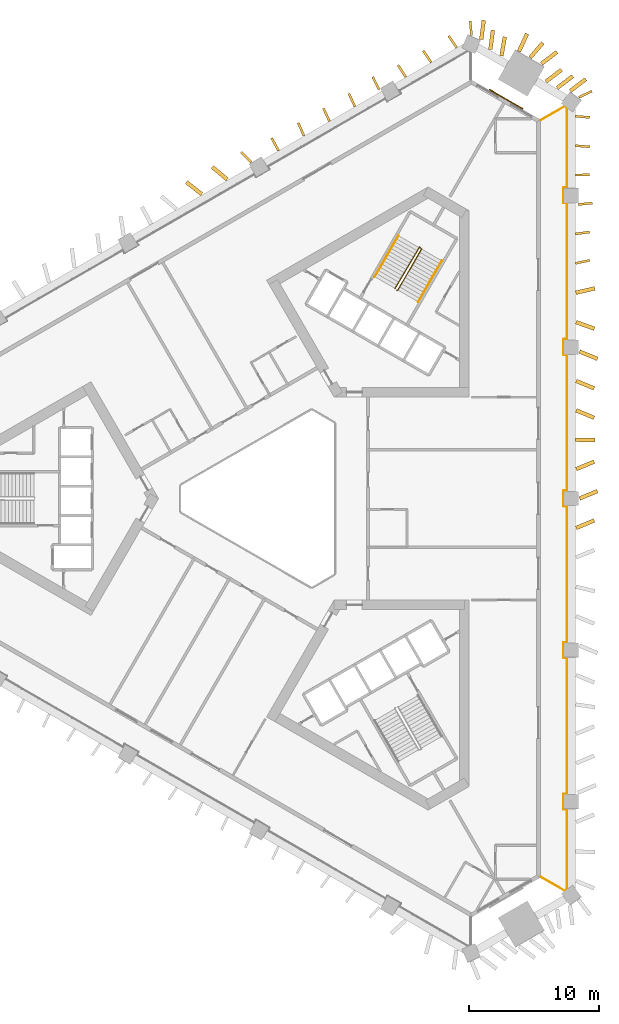
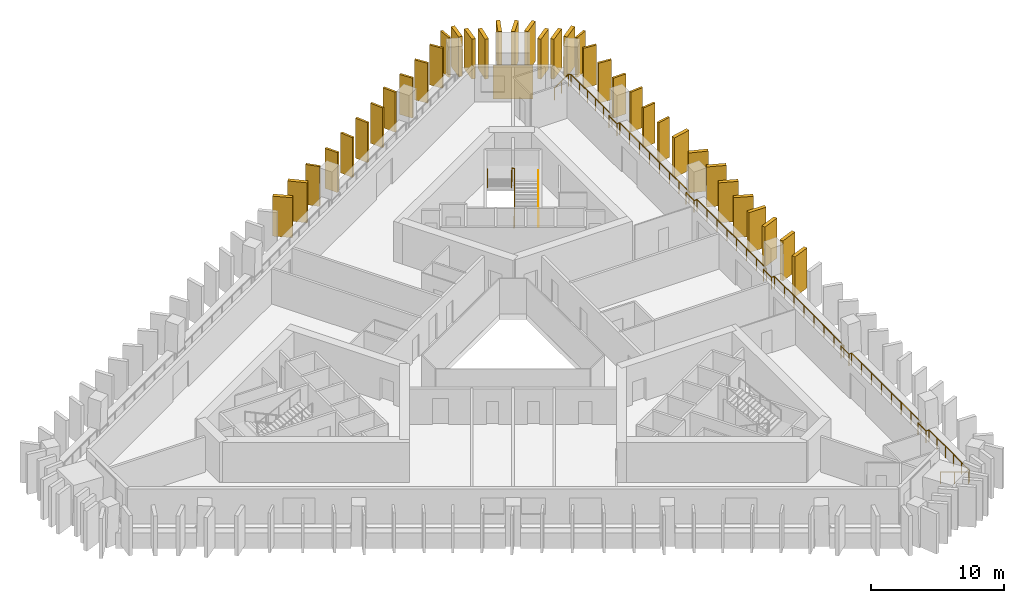
# One storey, part 9 of 9: 37 shading devices, 4 railings, 1 covering.
"""IFC4 building model written with IfcOpenShell, lengths in metres."""

from ifc_helpers import new_model, si_unit, direction, frame, frame_2d, origin, origin_2d, place, context, subcontext, project, spatial, rectangle, circle, extrude, material, layer, layer_set, type_object, element, save


model = new_model("IFC4")

# Units and contexts
model_context = context("Model", 3, precision=1e-05, world=origin(), true_north=direction((0.0, 1.0)))
body_context = subcontext(model_context, "Body", "Model", "MODEL_VIEW")
ifc_project = project(units=[si_unit("LENGTHUNIT", "METRE"), si_unit("AREAUNIT", "SQUARE_METRE"), si_unit("VOLUMEUNIT", "CUBIC_METRE"), si_unit("PLANEANGLEUNIT", "RADIAN"), si_unit("MASSUNIT", "GRAM", prefix="KILO")], contexts=[model_context])

# Site, building, storey
site_placement = place(None, origin())
site = spatial("IfcSite", under=ifc_project, at=site_placement, CompositionType="ELEMENT")
building_placement = place(site_placement, origin())
building = spatial("IfcBuilding", under=site, at=building_placement, Name="Jabali Bay Hotel Tower and Convention Centre", CompositionType="ELEMENT")
storey_placement = place(building_placement, frame((0.0, 0.0, 94.300048828125)))
storey = spatial("IfcBuildingStorey", under=building, at=storey_placement, Name="L22", CompositionType="ELEMENT", Elevation=94.300048828125)

# Railing
ifc_material_1 = material(Name="Glass", Category="glass")
railing_type_1 = type_object("IfcRailingType", Name="Loggia glass guard 1100", PredefinedType="BALUSTRADE", material=ifc_material_1)
railing_1_placement = place(storey_placement, frame((95.40185546875, 109.10400390625, 0.0)))
element("IfcRailing", 1, at=railing_1_placement, inside=storey, type_object=railing_type_1, Name="Loggia glass guard L22", PredefinedType="BALUSTRADE", context=body_context, shape_type="SweptSolid", body=[
    extrude(circle(Radius=0.02490234375, at=origin_2d()), frame((0.0, 0.0, 1.0751953125), z_axis=(0.866006443985, 0.500032837899, 0.0), x_axis=(-0.495754987653, 0.858597638805, 0.13052619222)), (0.0, 0.0, 1.0), 2.110595703125),
    extrude(circle(Radius=0.02490234375, at=origin_2d()), frame((1.827880859375, 1.055419921875, 1.0751953125), z_axis=(0.801498175172, -0.597997220057, 0.0), x_axis=(0.592881270942, 0.794641247175, 0.13052619222)), (0.0, 0.0, 1.0), 0.21484375),
    extrude(circle(Radius=0.02490234375, at=origin_2d()), frame((2.0, 0.927001953125, 1.0751953125), z_axis=(0.0, -1.0, 0.0), x_axis=(0.991444861374, 0.0, 0.13052619222)), (0.0, 0.0, 1.0), 6.122314453125),
    extrude(circle(Radius=0.02490234375, at=origin_2d()), frame((2.0, -5.1953125, 1.0751953125), z_axis=(-1.0, 0.0, 0.0), x_axis=(0.0, -0.991444861374, 0.13052619222)), (0.0, 0.0, 1.0), 0.25),
    extrude(circle(Radius=0.02490234375, at=origin_2d()), frame((1.75, -5.1953125, 1.0751953125), z_axis=(0.0, -1.0, 0.0), x_axis=(0.991444861374, 0.0, 0.13052619222)), (0.0, 0.0, 1.0), 1.199951171875),
    extrude(circle(Radius=0.02490234375, at=origin_2d()), frame((1.75, -6.395263671875, 1.0751953125), z_axis=(1.0, 0.0, 0.0), x_axis=(0.0, 0.991444861374, 0.13052619222)), (0.0, 0.0, 1.0), 0.25),
    extrude(circle(Radius=0.02490234375, at=origin_2d()), frame((2.0, -6.395263671875, 1.0751953125), z_axis=(0.0, -1.0, 0.0), x_axis=(0.991444861374, 0.0, 0.13052619222)), (0.0, 0.0, 1.0), 10.454345703125),
    extrude(circle(Radius=0.02490234375, at=origin_2d()), frame((2.0, -16.849609375, 1.0751953125), z_axis=(-1.0, 0.0, 0.0), x_axis=(0.0, -0.991444861374, 0.13052619222)), (0.0, 0.0, 1.0), 0.25),
    extrude(circle(Radius=0.02490234375, at=origin_2d()), frame((1.75, -16.849609375, 1.0751953125), z_axis=(0.0, -1.0, 0.0), x_axis=(0.991444861374, 0.0, 0.13052619222)), (0.0, 0.0, 1.0), 1.2001953125),
    extrude(circle(Radius=0.02490234375, at=origin_2d()), frame((1.75, -18.0498046875, 1.0751953125), z_axis=(1.0, 0.0, 0.0), x_axis=(0.0, 0.991444861374, 0.13052619222)), (0.0, 0.0, 1.0), 0.25),
    extrude(circle(Radius=0.02490234375, at=origin_2d()), frame((2.0, -18.0498046875, 1.0751953125), z_axis=(0.0, -1.0, 0.0), x_axis=(0.991444861374, 0.0, 0.13052619222)), (0.0, 0.0, 1.0), 10.4541015625),
    extrude(circle(Radius=0.02490234375, at=origin_2d()), frame((2.0, -28.50390625, 1.0751953125), z_axis=(-1.0, 0.0, 0.0), x_axis=(0.0, -0.991444861374, 0.13052619222)), (0.0, 0.0, 1.0), 0.25),
    extrude(circle(Radius=0.02490234375, at=origin_2d()), frame((1.75, -28.50390625, 1.0751953125), z_axis=(0.0, -1.0, 0.0), x_axis=(0.991444861374, 0.0, 0.13052619222)), (0.0, 0.0, 1.0), 1.2001953125),
    extrude(circle(Radius=0.02490234375, at=origin_2d()), frame((1.75, -29.7041015625, 1.0751953125), z_axis=(1.0, 0.0, 0.0), x_axis=(0.0, 0.991444861374, 0.13052619222)), (0.0, 0.0, 1.0), 0.25),
    extrude(circle(Radius=0.02490234375, at=origin_2d()), frame((2.0, -29.7041015625, 1.0751953125), z_axis=(0.0, -1.0, 0.0), x_axis=(0.991444861374, 0.0, 0.13052619222)), (0.0, 0.0, 1.0), 10.4541015625),
    extrude(circle(Radius=0.02490234375, at=origin_2d()), frame((2.0, -40.158203125, 1.0751953125), z_axis=(-1.0, 0.0, 0.0), x_axis=(0.0, -0.991444861374, 0.13052619222)), (0.0, 0.0, 1.0), 0.25),
    extrude(circle(Radius=0.02490234375, at=origin_2d()), frame((1.75, -40.158203125, 1.0751953125), z_axis=(0.0, -1.0, 0.0), x_axis=(0.991444861374, 0.0, 0.13052619222)), (0.0, 0.0, 1.0), 1.2001953125),
    extrude(circle(Radius=0.02490234375, at=origin_2d()), frame((1.75, -41.3583984375, 1.0751953125), z_axis=(1.0, 0.0, 0.0), x_axis=(0.0, 0.991444861374, 0.13052619222)), (0.0, 0.0, 1.0), 0.25),
    extrude(circle(Radius=0.02490234375, at=origin_2d()), frame((2.0, -41.3583984375, 1.0751953125), z_axis=(0.0, -1.0, 0.0), x_axis=(0.991444861374, 0.0, 0.13052619222)), (0.0, 0.0, 1.0), 10.454345703125),
    extrude(circle(Radius=0.02490234375, at=origin_2d()), frame((2.0, -51.812744140625, 1.0751953125), z_axis=(-1.0, 0.0, 0.0), x_axis=(0.0, -0.991444861374, 0.13052619222)), (0.0, 0.0, 1.0), 0.25),
    extrude(circle(Radius=0.02490234375, at=origin_2d()), frame((1.75, -51.812744140625, 1.0751953125), z_axis=(0.0, -1.0, 0.0), x_axis=(0.991444861374, 0.0, 0.13052619222)), (0.0, 0.0, 1.0), 1.199951171875),
    extrude(circle(Radius=0.02490234375, at=origin_2d()), frame((1.75, -53.0126953125, 1.0751953125), z_axis=(1.0, 0.0, 0.0), x_axis=(0.0, 0.991444861374, 0.13052619222)), (0.0, 0.0, 1.0), 0.25),
    extrude(circle(Radius=0.02490234375, at=origin_2d()), frame((2.0, -53.0126953125, 1.0751953125), z_axis=(0.0, -1.0, 0.0), x_axis=(0.991444861374, 0.0, 0.13052619222)), (0.0, 0.0, 1.0), 6.122314453125),
    extrude(circle(Radius=0.02490234375, at=origin_2d()), frame((2.0, -59.135009765625, 1.0751953125), z_axis=(-0.801498175172, -0.597997220057, 0.0), x_axis=(0.592881270942, -0.794641247175, 0.13052619222)), (0.0, 0.0, 1.0), 0.21484375),
    extrude(circle(Radius=0.02490234375, at=origin_2d()), frame((1.827880859375, -59.263427734375, 1.0751953125), z_axis=(-0.866006443985, 0.500032837899, 0.0), x_axis=(-0.495754987653, -0.858597638805, 0.13052619222)), (0.0, 0.0, 1.0), 2.110595703125),
    extrude(circle(Radius=0.02001953125, at=origin_2d()), origin(), (0.0, 0.0, 1.0), 1.050048828125),
    extrude(circle(Radius=0.02001953125, at=origin_2d()), frame((0.9140625, 0.52783203125, 0.0)), (0.0, 0.0, 1.0), 1.050048828125),
    extrude(circle(Radius=0.02001953125, at=origin_2d()), frame((1.827880859375, 1.055419921875, 0.0)), (0.0, 0.0, 1.0), 1.050048828125),
    extrude(circle(Radius=0.02001953125, at=origin_2d()), frame((2.0, 0.927001953125, 0.0)), (0.0, 0.0, 1.0), 1.050048828125),
    extrude(circle(Radius=0.02001953125, at=origin_2d()), frame((2.0, -0.29736328125, 0.0)), (0.0, 0.0, 1.0), 1.050048828125),
    extrude(circle(Radius=0.02001953125, at=origin_2d()), frame((2.0, -1.52197265625, 0.0)), (0.0, 0.0, 1.0), 1.050048828125),
    extrude(circle(Radius=0.02001953125, at=origin_2d()), frame((2.0, -2.746337890625, 0.0)), (0.0, 0.0, 1.0), 1.050048828125),
    extrude(circle(Radius=0.02001953125, at=origin_2d()), frame((2.0, -3.970947265625, 0.0)), (0.0, 0.0, 1.0), 1.050048828125),
    extrude(circle(Radius=0.02001953125, at=origin_2d()), frame((2.0, -5.1953125, 0.0)), (0.0, 0.0, 1.0), 1.050048828125),
    extrude(circle(Radius=0.02001953125, at=origin_2d()), frame((1.75, -5.1953125, 0.0)), (0.0, 0.0, 1.0), 1.050048828125),
    extrude(circle(Radius=0.02001953125, at=origin_2d()), frame((1.75, -6.395263671875, 0.0)), (0.0, 0.0, 1.0), 1.050048828125),
    extrude(circle(Radius=0.02001953125, at=origin_2d()), frame((2.0, -6.395263671875, 0.0)), (0.0, 0.0, 1.0), 1.050048828125),
    extrude(circle(Radius=0.02001953125, at=origin_2d()), frame((2.0, -7.888671875, 0.0)), (0.0, 0.0, 1.0), 1.050048828125),
    extrude(circle(Radius=0.02001953125, at=origin_2d()), frame((2.0, -9.38232421875, 0.0)), (0.0, 0.0, 1.0), 1.050048828125),
    extrude(circle(Radius=0.02001953125, at=origin_2d()), frame((2.0, -10.875732421875, 0.0)), (0.0, 0.0, 1.0), 1.050048828125),
    extrude(circle(Radius=0.02001953125, at=origin_2d()), frame((2.0, -12.369140625, 0.0)), (0.0, 0.0, 1.0), 1.050048828125),
    extrude(circle(Radius=0.02001953125, at=origin_2d()), frame((2.0, -13.862548828125, 0.0)), (0.0, 0.0, 1.0), 1.050048828125),
    extrude(circle(Radius=0.02001953125, at=origin_2d()), frame((2.0, -15.356201171875, 0.0)), (0.0, 0.0, 1.0), 1.050048828125),
    extrude(circle(Radius=0.02001953125, at=origin_2d()), frame((2.0, -16.849609375, 0.0)), (0.0, 0.0, 1.0), 1.050048828125),
    extrude(circle(Radius=0.02001953125, at=origin_2d()), frame((1.75, -16.849609375, 0.0)), (0.0, 0.0, 1.0), 1.050048828125),
    extrude(circle(Radius=0.02001953125, at=origin_2d()), frame((1.75, -18.0498046875, 0.0)), (0.0, 0.0, 1.0), 1.050048828125),
    extrude(circle(Radius=0.02001953125, at=origin_2d()), frame((2.0, -18.0498046875, 0.0)), (0.0, 0.0, 1.0), 1.050048828125),
    extrude(circle(Radius=0.02001953125, at=origin_2d()), frame((2.0, -19.543212890625, 0.0)), (0.0, 0.0, 1.0), 1.050048828125),
    extrude(circle(Radius=0.02001953125, at=origin_2d()), frame((2.0, -21.03662109375, 0.0)), (0.0, 0.0, 1.0), 1.050048828125),
    extrude(circle(Radius=0.02001953125, at=origin_2d()), frame((2.0, -22.530029296875, 0.0)), (0.0, 0.0, 1.0), 1.050048828125),
    extrude(circle(Radius=0.02001953125, at=origin_2d()), frame((2.0, -24.023681640625, 0.0)), (0.0, 0.0, 1.0), 1.050048828125),
    extrude(circle(Radius=0.02001953125, at=origin_2d()), frame((2.0, -25.51708984375, 0.0)), (0.0, 0.0, 1.0), 1.050048828125),
    extrude(circle(Radius=0.02001953125, at=origin_2d()), frame((2.0, -27.010498046875, 0.0)), (0.0, 0.0, 1.0), 1.050048828125),
    extrude(circle(Radius=0.02001953125, at=origin_2d()), frame((2.0, -28.50390625, 0.0)), (0.0, 0.0, 1.0), 1.050048828125),
    extrude(circle(Radius=0.02001953125, at=origin_2d()), frame((1.75, -28.50390625, 0.0)), (0.0, 0.0, 1.0), 1.050048828125),
    extrude(circle(Radius=0.02001953125, at=origin_2d()), frame((1.75, -29.7041015625, 0.0)), (0.0, 0.0, 1.0), 1.050048828125),
    extrude(circle(Radius=0.02001953125, at=origin_2d()), frame((2.0, -29.7041015625, 0.0)), (0.0, 0.0, 1.0), 1.050048828125),
    extrude(circle(Radius=0.02001953125, at=origin_2d()), frame((2.0, -31.197509765625, 0.0)), (0.0, 0.0, 1.0), 1.050048828125),
    extrude(circle(Radius=0.02001953125, at=origin_2d()), frame((2.0, -32.69091796875, 0.0)), (0.0, 0.0, 1.0), 1.050048828125),
    extrude(circle(Radius=0.02001953125, at=origin_2d()), frame((2.0, -34.184326171875, 0.0)), (0.0, 0.0, 1.0), 1.050048828125),
    extrude(circle(Radius=0.02001953125, at=origin_2d()), frame((2.0, -35.677978515625, 0.0)), (0.0, 0.0, 1.0), 1.050048828125),
    extrude(circle(Radius=0.02001953125, at=origin_2d()), frame((2.0, -37.17138671875, 0.0)), (0.0, 0.0, 1.0), 1.050048828125),
    extrude(circle(Radius=0.02001953125, at=origin_2d()), frame((2.0, -38.664794921875, 0.0)), (0.0, 0.0, 1.0), 1.050048828125),
    extrude(circle(Radius=0.02001953125, at=origin_2d()), frame((2.0, -40.158203125, 0.0)), (0.0, 0.0, 1.0), 1.050048828125),
    extrude(circle(Radius=0.02001953125, at=origin_2d()), frame((1.75, -40.158203125, 0.0)), (0.0, 0.0, 1.0), 1.050048828125),
    extrude(circle(Radius=0.02001953125, at=origin_2d()), frame((1.75, -41.3583984375, 0.0)), (0.0, 0.0, 1.0), 1.050048828125),
    extrude(circle(Radius=0.02001953125, at=origin_2d()), frame((2.0, -41.3583984375, 0.0)), (0.0, 0.0, 1.0), 1.050048828125),
    extrude(circle(Radius=0.02001953125, at=origin_2d()), frame((2.0, -42.851806640625, 0.0)), (0.0, 0.0, 1.0), 1.050048828125),
    extrude(circle(Radius=0.02001953125, at=origin_2d()), frame((2.0, -44.345458984375, 0.0)), (0.0, 0.0, 1.0), 1.050048828125),
    extrude(circle(Radius=0.02001953125, at=origin_2d()), frame((2.0, -45.8388671875, 0.0)), (0.0, 0.0, 1.0), 1.050048828125),
    extrude(circle(Radius=0.02001953125, at=origin_2d()), frame((2.0, -47.332275390625, 0.0)), (0.0, 0.0, 1.0), 1.050048828125),
    extrude(circle(Radius=0.02001953125, at=origin_2d()), frame((2.0, -48.82568359375, 0.0)), (0.0, 0.0, 1.0), 1.050048828125),
    extrude(circle(Radius=0.02001953125, at=origin_2d()), frame((2.0, -50.3193359375, 0.0)), (0.0, 0.0, 1.0), 1.050048828125),
    extrude(circle(Radius=0.02001953125, at=origin_2d()), frame((2.0, -51.812744140625, 0.0)), (0.0, 0.0, 1.0), 1.050048828125),
    extrude(circle(Radius=0.02001953125, at=origin_2d()), frame((1.75, -51.812744140625, 0.0)), (0.0, 0.0, 1.0), 1.050048828125),
    extrude(circle(Radius=0.02001953125, at=origin_2d()), frame((1.75, -53.0126953125, 0.0)), (0.0, 0.0, 1.0), 1.050048828125),
    extrude(circle(Radius=0.02001953125, at=origin_2d()), frame((2.0, -53.0126953125, 0.0)), (0.0, 0.0, 1.0), 1.050048828125),
    extrude(circle(Radius=0.02001953125, at=origin_2d()), frame((2.0, -54.237060546875, 0.0)), (0.0, 0.0, 1.0), 1.050048828125),
    extrude(circle(Radius=0.02001953125, at=origin_2d()), frame((2.0, -55.461669921875, 0.0)), (0.0, 0.0, 1.0), 1.050048828125),
    extrude(circle(Radius=0.02001953125, at=origin_2d()), frame((2.0, -56.68603515625, 0.0)), (0.0, 0.0, 1.0), 1.050048828125),
    extrude(circle(Radius=0.02001953125, at=origin_2d()), frame((2.0, -57.91064453125, 0.0)), (0.0, 0.0, 1.0), 1.050048828125),
    extrude(circle(Radius=0.02001953125, at=origin_2d()), frame((2.0, -59.135009765625, 0.0)), (0.0, 0.0, 1.0), 1.050048828125),
    extrude(circle(Radius=0.02001953125, at=origin_2d()), frame((1.827880859375, -59.263427734375, 0.0)), (0.0, 0.0, 1.0), 1.050048828125),
    extrude(circle(Radius=0.02001953125, at=origin_2d()), frame((0.9140625, -58.73583984375, 0.0)), (0.0, 0.0, 1.0), 1.050048828125),
    extrude(circle(Radius=0.02001953125, at=origin_2d()), frame((0.0, -58.2080078125, 0.0)), (0.0, 0.0, 1.0), 1.050048828125),
])

# Shading devices
ifc_material_2 = material(Name="Precast concrete C60", Category="concrete")
ifc_layer_1 = layer(ifc_material_2, 0.179931640625)
ifc_layer_set_1 = layer_set([ifc_layer_1], Name="Precast concrete C60")
shading_device_type_1 = type_object("IfcShadingDeviceType", Name="Precast fin 3680 x 1100", PredefinedType="USERDEFINED", material=ifc_layer_set_1)
shading_device_1_placement = place(storey_placement, frame((98.062744140625, 98.0849609375, 0.010009765625), z_axis=(0.0, 0.0, 1.0), x_axis=(0.978559203416, 0.205965738437, 0.0)))
element("IfcShadingDevice", 2, at=shading_device_1_placement, inside=storey, type_object=shading_device_type_1, Name="Fin L22 021", ObjectType="FIN", PredefinedType="USERDEFINED", context=body_context, shape_type="SweptSolid", body=[
    extrude(rectangle(XDim=1.10009765625, YDim=0.179931640625, at=frame_2d((0.550048828125, 0.0))), origin(), (0.0, 0.0, 1.0), 3.679931640625),
])
shading_device_2_placement = place(storey_placement, frame((98.05615234375, 100.345703125, 0.010009765625), z_axis=(0.0, 0.0, 1.0), x_axis=(0.991241464629, 0.132061950617, 0.0)))
element("IfcShadingDevice", 3, at=shading_device_2_placement, inside=storey, type_object=shading_device_type_1, Name="Fin L22 022", ObjectType="FIN", PredefinedType="USERDEFINED", context=body_context, shape_type="SweptSolid", body=[
    extrude(rectangle(XDim=1.099853515625, YDim=0.179931640625, at=frame_2d((0.5498046875, 0.0))), origin(), (0.0, 0.0, 1.0), 3.679931640625),
])
shading_device_3_placement = place(storey_placement, frame((98.251220703125, 102.6064453125, 0.010009765625), z_axis=(0.0, 0.0, 1.0), x_axis=(0.995133402812, 0.098536848985, 0.0)))
element("IfcShadingDevice", 4, at=shading_device_3_placement, inside=storey, type_object=shading_device_type_1, Name="Fin L22 023", ObjectType="FIN", PredefinedType="USERDEFINED", context=body_context, shape_type="SweptSolid", body=[
    extrude(rectangle(XDim=1.10009765625, YDim=0.179931640625, at=frame_2d((0.550048828125, 0.0))), origin(), (0.0, 0.0, 1.0), 3.679931640625),
])
for number, where, z_axis, x_axis, name in (
    (5, (98.04638671875, 104.866943359375, 0.010009765625), (0.0, 0.0, 1.0), (0.99973861697, 0.022862583825, 0.0), "Fin L22 024"),
    (6, (98.0517578125, 107.127685546875, 0.010009765625), (0.0, 0.0, 1.0), (0.996621874565, -0.082126969619, 0.0), "Fin L22 025"),
):
    element("IfcShadingDevice", number, at=place(storey_placement, frame(where, z_axis=z_axis, x_axis=x_axis)), inside=storey, type_object=shading_device_type_1, Name=name, ObjectType="FIN", PredefinedType="USERDEFINED", context=body_context, shape_type="SweptSolid", body=[
        extrude(rectangle(XDim=1.099853515625, YDim=0.179931640625, at=frame_2d((0.5498046875, 0.0))), origin(), (0.0, 0.0, 1.0), 3.679931640625),
    ])
for number, where, z_axis, x_axis, name in (
    (7, (98.051513671875, 109.38818359375, 0.010009765625), (0.0, 0.0, 1.0), (0.996767109355, -0.080345066486, 0.0), "Fin L22 026"),
    (8, (88.92529296875, 114.6572265625, 0.010009765625), (0.0, 0.0, 1.0), (-0.56723500071, 0.823555981078, 0.0), "Fin L22 036"),
    (9, (86.967529296875, 113.52685546875, 0.010009765625), (0.0, 0.0, 1.0), (-0.56723500071, 0.823555981078, 0.0), "Fin L22 037"),
):
    element("IfcShadingDevice", number, at=place(storey_placement, frame(where, z_axis=z_axis, x_axis=x_axis)), inside=storey, type_object=shading_device_type_1, Name=name, ObjectType="FIN", PredefinedType="USERDEFINED", context=body_context, shape_type="SweptSolid", body=[
        extrude(rectangle(XDim=1.10009765625, YDim=0.179931640625, at=frame_2d((0.550048828125, 0.0))), origin(), (0.0, 0.0, 1.0), 3.679931640625),
    ])
for number, where, z_axis, x_axis, name in (
    (10, (85.010986328125, 112.39453125, 0.010009765625), (0.0, 0.0, 1.0), (-0.544465529191, 0.838783218432, 0.0), "Fin L22 038"),
    (11, (82.95361328125, 111.436767578125, 0.010009765625), (0.0, 0.0, 1.0), (-0.446591987752, 0.894737724965, 0.0), "Fin L22 039"),
):
    element("IfcShadingDevice", number, at=place(storey_placement, frame(where, z_axis=z_axis, x_axis=x_axis)), inside=storey, type_object=shading_device_type_1, Name=name, ObjectType="FIN", PredefinedType="USERDEFINED", context=body_context, shape_type="SweptSolid", body=[
        extrude(rectangle(XDim=1.099853515625, YDim=0.179931640625, at=frame_2d((0.5498046875, 0.0))), origin(), (0.0, 0.0, 1.0), 3.679931640625),
    ])
for number, where, z_axis, x_axis, name in (
    (12, (81.093994140625, 110.13623046875, 0.010009765625), (0.0, 0.0, 1.0), (-0.425241157529, 0.905080083718, 0.0), "Fin L22 040"),
    (13, (79.1357421875, 109.006591796875, 0.010009765625), (0.0, 0.0, 1.0), (-0.417678459743, 0.908594906582, 0.0), "Fin L22 041"),
    (14, (77.177001953125, 107.878173828125, 0.010009765625), (0.0, 0.0, 1.0), (-0.396810084964, 0.917900733452, 0.0), "Fin L22 042"),
    (15, (75.22314453125, 106.740966796875, 0.010009765625), (0.0, 0.0, 1.0), (-0.475131732818, 0.879914675676, 0.0), "Fin L22 043"),
    (16, (73.12646484375, 105.851318359375, 0.010009765625), (0.0, 0.0, 1.0), (-0.704215674631, 0.709986115078, 0.0), "Fin L22 044"),
    (17, (98.309814453125, 110.840576171875, 0.010009765625), (0.0, 0.0, 1.0), (0.903212989198, 0.429192609609, 0.0), "Fin L22 109"),
):
    element("IfcShadingDevice", number, at=place(storey_placement, frame(where, z_axis=z_axis, x_axis=x_axis)), inside=storey, type_object=shading_device_type_1, Name=name, ObjectType="FIN", PredefinedType="USERDEFINED", context=body_context, shape_type="SweptSolid", body=[
        extrude(rectangle(XDim=1.10009765625, YDim=0.179931640625, at=frame_2d((0.550048828125, 0.0))), origin(), (0.0, 0.0, 1.0), 3.679931640625),
    ])
shading_device_4_placement = place(storey_placement, frame((90.053955078125, 115.607177734375, 0.010009765625), z_axis=(0.0, 0.0, 1.0), x_axis=(-0.079462912639, 0.996837823076, 0.0)))
element("IfcShadingDevice", 18, at=shading_device_4_placement, inside=storey, type_object=shading_device_type_1, Name="Fin L22 110", ObjectType="FIN", PredefinedType="USERDEFINED", context=body_context, shape_type="SweptSolid", body=[
    extrude(rectangle(XDim=1.099853515625, YDim=0.179931640625, at=frame_2d((0.5498046875, 0.0))), origin(), (0.0, 0.0, 1.0), 3.679931640625),
])
ifc_layer_2 = layer(ifc_material_2, 0.300048828125)
ifc_layer_set_2 = layer_set([ifc_layer_2], Name="Precast concrete C60")
shading_device_type_2 = type_object("IfcShadingDeviceType", Name="Precast fin 3680 x 1500", PredefinedType="USERDEFINED", material=ifc_layer_set_2)
shading_device_5_placement = place(storey_placement, frame((98.101806640625, 77.7392578125, 0.010009765625), z_axis=(0.0, 0.0, 1.0), x_axis=(0.923096181819, 0.384569160374, 0.0)))
element("IfcShadingDevice", 19, at=shading_device_5_placement, inside=storey, type_object=shading_device_type_2, Name="Fin L22 012", ObjectType="FIN", PredefinedType="USERDEFINED", context=body_context, shape_type="SweptSolid", body=[
    extrude(rectangle(XDim=1.500244140625, YDim=0.300048828125, at=frame_2d((0.75, 0.0))), origin(), (0.0, 0.0, 1.0), 3.679931640625),
])
for number, where, z_axis, x_axis, name in (
    (20, (98.359375, 80.0, 0.010009765625), (0.0, 0.0, 1.0), (0.923153948977, 0.38443047029, 0.0), "Fin L22 013"),
    (21, (98.101806640625, 82.2607421875, 0.010009765625), (0.0, 0.0, 1.0), (0.923211702523, 0.384291754171, 0.0), "Fin L22 014"),
    (22, (98.046875, 84.521240234375, 0.010009765625), (0.0, 0.0, 1.0), (0.999842616415, -0.017740980822, 0.0), "Fin L22 015"),
    (23, (98.101806640625, 86.781982421875, 0.010009765625), (0.0, 0.0, 1.0), (0.923351169009, -0.383956532292, 0.0), "Fin L22 016"),
    (24, (98.1015625, 89.04248046875, 0.010009765625), (0.0, 0.0, 1.0), (0.924022781119, -0.382337416391, 0.0), "Fin L22 017"),
    (25, (98.358154296875, 91.30322265625, 0.010009765625), (0.0, 0.0, 1.0), (0.926374328727, -0.376604040175, 0.0), "Fin L22 018"),
    (26, (98.09521484375, 93.563720703125, 0.010009765625), (0.0, 0.0, 1.0), (0.940773239559, -0.339036446021, 0.0), "Fin L22 019"),
    (27, (98.07763671875, 95.824462890625, 0.010009765625), (0.0, 0.0, 1.0), (0.974969505796, 0.222338621856, 0.0), "Fin L22 020"),
    (28, (97.650634765625, 111.330810546875, 0.010009765625), (0.0, 0.0, 1.0), (0.794537958448, 0.607214486475, 0.0), "Fin L22 027"),
    (29, (96.64111328125, 111.5576171875, 0.010009765625), (0.0, 0.0, 1.0), (0.794477939917, 0.607293012462, 0.0), "Fin L22 028"),
    (30, (95.78564453125, 112.051513671875, 0.010009765625), (0.0, 0.0, 1.0), (0.794616478363, 0.607111729679, 0.0), "Fin L22 029"),
    (31, (95.4365234375, 113.421875, 0.010009765625), (0.0, 0.0, 1.0), (0.794537958448, 0.607214486475, 0.0), "Fin L22 030"),
    (32, (94.566162109375, 113.8896484375, 0.010009765625), (0.0, 0.0, 1.0), (0.649946474218, 0.759979987008, 0.0), "Fin L22 031"),
    (33, (93.703857421875, 114.371337890625, 0.010009765625), (0.0, 0.0, 1.0), (0.420719154572, 0.907190935237, 0.0), "Fin L22 032"),
):
    element("IfcShadingDevice", number, at=place(storey_placement, frame(where, z_axis=z_axis, x_axis=x_axis)), inside=storey, type_object=shading_device_type_2, Name=name, ObjectType="FIN", PredefinedType="USERDEFINED", context=body_context, shape_type="SweptSolid", body=[
        extrude(rectangle(XDim=1.5, YDim=0.300048828125, at=frame_2d((0.75, 0.0))), origin(), (0.0, 0.0, 1.0), 3.679931640625),
    ])
shading_device_6_placement = place(storey_placement, frame((92.361328125, 114.021240234375, 0.010009765625), z_axis=(0.0, 0.0, 1.0), x_axis=(0.172179000223, 0.985065678969, 0.0)))
element("IfcShadingDevice", 34, at=shading_device_6_placement, inside=storey, type_object=shading_device_type_2, Name="Fin L22 033", ObjectType="FIN", PredefinedType="USERDEFINED", context=body_context, shape_type="SweptSolid", body=[
    extrude(rectangle(XDim=1.500244140625, YDim=0.300048828125, at=frame_2d((0.75, 0.0))), origin(), (0.0, 0.0, 1.0), 3.679931640625),
])
for number, where, z_axis, x_axis, name in (
    (35, (91.509033203125, 114.5205078125, 0.010009765625), (0.0, 0.0, 1.0), (0.128740771471, 0.99167828138, 0.0), "Fin L22 034"),
    (36, (90.80810546875, 115.281494140625, 0.010009765625), (0.0, 0.0, 1.0), (0.128580707026, 0.991699047988, 0.0), "Fin L22 035"),
    (37, (71.283447265625, 104.522216796875, 0.010009765625), (0.0, 0.0, 1.0), (-0.764311537746, 0.644847170474, 0.0), "Fin L22 045"),
    (38, (69.3232421875, 103.39599609375, 0.010009765625), (0.0, 0.0, 1.0), (-0.785798465499, 0.618482636474, 0.0), "Fin L22 046"),
):
    element("IfcShadingDevice", number, at=place(storey_placement, frame(where, z_axis=z_axis, x_axis=x_axis)), inside=storey, type_object=shading_device_type_2, Name=name, ObjectType="FIN", PredefinedType="USERDEFINED", context=body_context, shape_type="SweptSolid", body=[
        extrude(rectangle(XDim=1.5, YDim=0.300048828125, at=frame_2d((0.75, 0.0))), origin(), (0.0, 0.0, 1.0), 3.679931640625),
    ])

# Covering
ifc_material_3 = material(Name="Precast concrete C40/50", Category="concrete")
ifc_layer_3 = layer(ifc_material_3, 0.080078125)
ifc_layer_set_3 = layer_set([ifc_layer_3], Name="Precast concrete C40/50")
covering_type = type_object("IfcCoveringType", Name="Relief panel 3000 x 3050", PredefinedType="CLADDING", material=ifc_layer_set_3)
covering_placement = place(storey_placement, frame((92.722900390625, 110.697021484375, 0.10009765625), z_axis=(0.0, 0.0, 1.0), x_axis=(0.866025387911, -0.500000027494, 0.0)))
element("IfcCovering", 39, at=covering_placement, inside=storey, type_object=covering_type, Name="Relief panel L22", PredefinedType="CLADDING", context=body_context, shape_type="SweptSolid", body=[
    extrude(rectangle(XDim=3.0, YDim=0.080078125, at=origin_2d()), origin(), (0.0, 0.0, 1.0), 3.050048828125),
])

# Railings
ifc_material_4 = material(Name="Steel Q355B", Category="steel")
railing_type_2 = type_object("IfcRailingType", Name="Stair guard 1100", PredefinedType="GUARDRAIL", material=ifc_material_4)
railing_2_placement = place(storey_placement, frame((84.329833984375, 96.010009765625, 0.0)))
element("IfcRailing", 40, at=railing_2_placement, inside=storey, type_object=railing_type_2, Name="L22 ST2 stair guard 1", PredefinedType="GUARDRAIL", context=body_context, shape_type="SweptSolid", body=[
    extrude(circle(Radius=0.02392578125, at=origin_2d()), frame((0.0, 0.0, 1.076171875), z_axis=(0.456201556387, 0.122196845461, 0.881446578591), x_axis=(-0.258736085224, 0.965948051503, 0.0)), (0.0, 0.0, 1.0), 0.14990234375),
    extrude(circle(Radius=0.02392578125, at=origin_2d()), frame((0.068359375, 0.018310546875, 1.2080078125), z_axis=(0.452190331055, 0.783190014029, 0.426775475427), x_axis=(-0.866018046521, 0.500012742938, 0.0)), (0.0, 0.0, 1.0), 4.02490234375),
    extrude(circle(Radius=0.02392578125, at=origin_2d()), frame((1.888427734375, 3.170654296875, 2.92578125), z_axis=(-0.718850276695, 0.695164929852, 0.0), x_axis=(-0.695164929852, -0.718850276695, 0.0)), (0.0, 0.0, 1.0), 0.2060546875),
    extrude(circle(Radius=0.02392578125, at=origin_2d()), frame((1.740234375, 3.31396484375, 2.92578125), z_axis=(-0.457445338502, -0.768046879266, 0.448160410493), x_axis=(0.859157857954, -0.511710636118, 0.0)), (0.0, 0.0, 1.0), 4.128173828125),
    extrude(circle(Radius=0.02099609375, at=origin_2d()), origin(), (0.0, 0.0, 1.0), 1.052001953125),
    extrude(circle(Radius=0.02099609375, at=origin_2d()), frame((0.068359375, 0.018310546875, 0.132080078125)), (0.0, 0.0, 1.0), 1.052001953125),
    extrude(circle(Radius=0.02099609375, at=origin_2d()), frame((0.5234375, 0.806396484375, 0.5615234375)), (0.0, 0.0, 1.0), 1.052001953125),
    extrude(circle(Radius=0.02099609375, at=origin_2d()), frame((0.978515625, 1.594482421875, 0.990966796875)), (0.0, 0.0, 1.0), 1.052001953125),
    extrude(circle(Radius=0.02099609375, at=origin_2d()), frame((1.433349609375, 2.382568359375, 1.42041015625)), (0.0, 0.0, 1.0), 1.052001953125),
    extrude(circle(Radius=0.02099609375, at=origin_2d()), frame((1.888427734375, 3.170654296875, 1.849853515625)), (0.0, 0.0, 1.0), 1.052001953125),
    extrude(circle(Radius=0.02099609375, at=origin_2d()), frame((1.740234375, 3.31396484375, 1.849853515625)), (0.0, 0.0, 1.0), 1.052001953125),
    extrude(circle(Radius=0.02099609375, at=origin_2d()), frame((1.26806640625, 2.521240234375, 2.3125)), (0.0, 0.0, 1.0), 1.052001953125),
    extrude(circle(Radius=0.02099609375, at=origin_2d()), frame((0.7958984375, 1.728515625, 2.77490234375)), (0.0, 0.0, 1.0), 1.052001953125),
    extrude(circle(Radius=0.02099609375, at=origin_2d()), frame((0.323974609375, 0.93603515625, 3.2373046875)), (0.0, 0.0, 1.0), 1.052001953125),
    extrude(circle(Radius=0.02099609375, at=origin_2d()), frame((-0.148193359375, 0.143310546875, 3.699951171875)), (0.0, 0.0, 1.0), 1.052001953125),
])
railing_type_3 = type_object("IfcRailingType", Name="Stair handrail 900", PredefinedType="HANDRAIL", material=ifc_material_4)
railing_3_placement = place(storey_placement, frame((85.95703125, 95.128173828125, 0.132080078125)))
element("IfcRailing", 41, at=railing_3_placement, inside=storey, type_object=railing_type_3, Name="L22 ST2 stair handrail 1", PredefinedType="HANDRAIL", context=body_context, shape_type="SweptSolid", body=[
    extrude(circle(Radius=0.02392578125, at=origin_2d()), frame((0.0, 0.0, 0.8759765625), z_axis=(0.452190331055, 0.783190014029, 0.426775475427), x_axis=(-0.866018046521, 0.500012742938, 0.0)), (0.0, 0.0, 1.0), 4.02490234375),
    extrude(circle(Radius=0.02099609375, at=origin_2d()), origin(), (0.0, 0.0, 1.0), 0.851806640625),
    extrude(circle(Radius=0.02099609375, at=origin_2d()), frame((0.455078125, 0.7880859375, 0.429443359375)), (0.0, 0.0, 1.0), 0.851806640625),
    extrude(circle(Radius=0.02099609375, at=origin_2d()), frame((0.91015625, 1.576171875, 0.85888671875)), (0.0, 0.0, 1.0), 0.851806640625),
    extrude(circle(Radius=0.02099609375, at=origin_2d()), frame((1.364990234375, 2.3642578125, 1.288330078125)), (0.0, 0.0, 1.0), 0.851806640625),
    extrude(circle(Radius=0.02099609375, at=origin_2d()), frame((1.820068359375, 3.15234375, 1.7177734375)), (0.0, 0.0, 1.0), 0.851806640625),
])
railing_4_placement = place(storey_placement, frame((84.44287109375, 100.20556640625, 1.982177734375)))
element("IfcRailing", 42, at=railing_4_placement, inside=storey, type_object=railing_type_3, Name="L22 ST2 stair handrail 2", PredefinedType="HANDRAIL", context=body_context, shape_type="SweptSolid", body=[
    extrude(circle(Radius=0.02392578125, at=origin_2d()), frame((0.0, 0.0, 0.8759765625), z_axis=(-0.452190331055, -0.783190014029, 0.426775475427), x_axis=(0.866018046521, -0.500012742938, 0.0)), (0.0, 0.0, 1.0), 4.02490234375),
    extrude(circle(Radius=0.02099609375, at=origin_2d()), origin(), (0.0, 0.0, 1.0), 0.851806640625),
    extrude(circle(Radius=0.02099609375, at=origin_2d()), frame((-0.455078125, -0.7880859375, 0.429443359375)), (0.0, 0.0, 1.0), 0.851806640625),
    extrude(circle(Radius=0.02099609375, at=origin_2d()), frame((-0.91015625, -1.576171875, 0.85888671875)), (0.0, 0.0, 1.0), 0.851806640625),
    extrude(circle(Radius=0.02099609375, at=origin_2d()), frame((-1.364990234375, -2.3642578125, 1.288330078125)), (0.0, 0.0, 1.0), 0.851806640625),
    extrude(circle(Radius=0.02099609375, at=origin_2d()), frame((-1.820068359375, -3.15234375, 1.7177734375)), (0.0, 0.0, 1.0), 0.851806640625),
])

save(model, "model.ifc")
